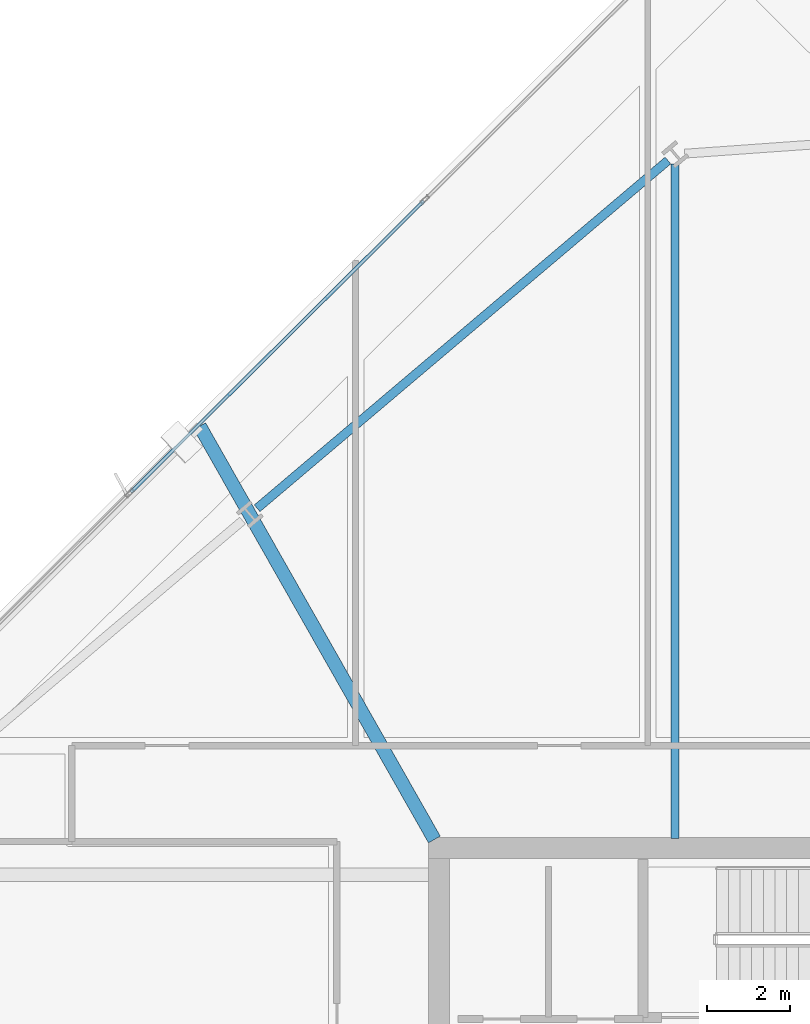
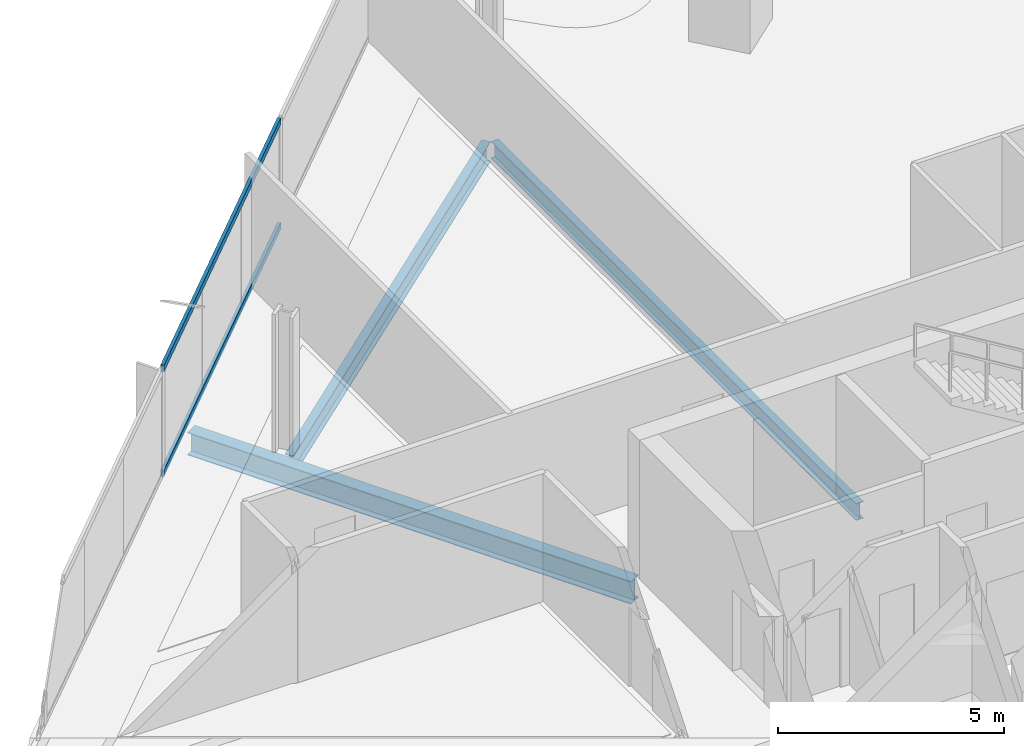
# One storey, part 16 of 32: 3 beams, 2 members, 1 element without a shape of its own.
"""IFC4 building model written with IfcOpenShell, lengths in metres."""

import ifcopenshell
import ifcopenshell.guid

model = None  # the IFC model being written
_history = None  # IfcOwnerHistory: only IFC2X3 demands one
_inside = {}  # id of a spatial element -> (the spatial element, [elements in it])
_under = {}  # id of a project, library or spatial element -> (it, [spatial elements below it])
_declared = {}  # id of a project -> (the project, [libraries it declares])
_typed = {}  # id of a type object -> (the type object, [elements of that type])
_made_of = {}  # id of a material, layer set ... -> (it, [elements and type objects made of it])


def new_model(schema):
    """Start an empty IFC model of exactly this schema.

    Asked for "IFC4X3", IfcOpenShell would pick the latest addendum, in which some entities
    have other attributes; the version numbers below select the first issue.
    IFC2X3 requires an IfcOwnerHistory on every rooted entity: one is made here for all.
    """
    global model, _history
    if schema == "IFC4X3":
        model = ifcopenshell.file(schema_version=(4, 3, 0, 0))
    else:
        model = ifcopenshell.file(schema=schema)
    _inside.clear()
    _under.clear()
    _declared.clear()
    _typed.clear()
    _made_of.clear()
    _history = None
    if model.schema == "IFC2X3":
        org = make("IfcOrganization", Name="unknown")
        user = make(
            "IfcPersonAndOrganization",
            ThePerson=make("IfcPerson", FamilyName="unknown"),
            TheOrganization=org,
        )
        app = make(
            "IfcApplication",
            ApplicationDeveloper=org,
            Version="unknown",
            ApplicationFullName="unknown",
            ApplicationIdentifier="unknown",
        )
        _history = make(
            "IfcOwnerHistory",
            OwningUser=user,
            OwningApplication=app,
            ChangeAction="ADDED",
            CreationDate=0,
        )
    return model


def make(cls, **values):
    """One entity of the class cls with the attributes given. An attribute that is None is left unset."""
    return model.create_entity(
        cls, **{name: value for name, value in values.items() if value is not None}
    )


def rooted(cls, **values):
    """An entity with a GlobalId (a new one), such as an element, a storey or a relation."""
    return make(cls, GlobalId=ifcopenshell.guid.new(), OwnerHistory=_history, **values)


def si_unit(unit_type, name, prefix=None):
    """IfcSIUnit, for example si_unit("LENGTHUNIT", "METRE", prefix="MILLI")."""
    return make("IfcSIUnit", UnitType=unit_type, Prefix=prefix, Name=name)


def assignment(units):
    """IfcUnitAssignment: the units of a project."""
    return None if units is None else make("IfcUnitAssignment", Units=units)


def point(xyz):
    """IfcCartesianPoint."""
    return None if xyz is None else make("IfcCartesianPoint", Coordinates=xyz)


def direction(xyz):
    """IfcDirection."""
    return None if xyz is None else make("IfcDirection", DirectionRatios=xyz)


def frame(location, z_axis=None, x_axis=None):
    """IfcAxis2Placement3D, a coordinate frame: its origin and axes. An axis left out is left unset."""
    return make(
        "IfcAxis2Placement3D",
        Location=point(location),
        Axis=direction(z_axis),
        RefDirection=direction(x_axis),
    )


def frame_2d(location, x_axis=None):
    """IfcAxis2Placement2D, a coordinate frame in the plane: its origin and x axis."""
    return make(
        "IfcAxis2Placement2D", Location=point(location), RefDirection=direction(x_axis)
    )


def origin():
    """The frame at (0, 0, 0) with its axes left unset."""
    return frame((0.0, 0.0, 0.0))


def origin_2d():
    """The frame at (0, 0) in the plane with its x axis left unset."""
    return frame_2d((0.0, 0.0))


def place(relative_to, where):
    """IfcLocalPlacement: puts the frame where relative to a parent placement (None: the world)."""
    return make(
        "IfcLocalPlacement", PlacementRelTo=relative_to, RelativePlacement=where
    )


def context(
    kind, dimensions, precision=None, world=None, true_north=None, identifier=None
):
    """IfcGeometricRepresentationContext, for example the 3D "Model" context."""
    return make(
        "IfcGeometricRepresentationContext",
        ContextIdentifier=identifier,
        ContextType=kind,
        CoordinateSpaceDimension=dimensions,
        Precision=precision,
        WorldCoordinateSystem=world,
        TrueNorth=true_north,
    )


def subcontext(parent, identifier, kind, view, scale=None):
    """IfcGeometricRepresentationSubContext, for example "Body" below "Model"."""
    return make(
        "IfcGeometricRepresentationSubContext",
        ContextIdentifier=identifier,
        ContextType=kind,
        ParentContext=parent,
        TargetScale=scale,
        TargetView=view,
    )


def project(units=None, contexts=None):
    """IfcProject with its units and contexts."""
    return rooted(
        "IfcProject",
        Name="project",
        RepresentationContexts=contexts,
        UnitsInContext=assignment(units),
    )


def spatial(cls, under=None, at=None, **own):
    """A site, building, storey or space (cls), placed at a placement, below another one or the project."""
    s = rooted(cls, ObjectPlacement=at, **own)
    if under is not None:
        _under.setdefault(under.id(), (under, []))[1].append(s)
    return s


def profile(cls, at=None, kind="AREA", **sizes):
    """A parametric profile (cls). Its sizes go by their IFC names, for example OverallWidth=200.0."""
    return make(cls, ProfileType=kind, Position=at, **sizes)


def hollow_rectangle(**sizes):
    """IfcRectangleHollowProfileDef."""
    return profile("IfcRectangleHollowProfileDef", **sizes)


def i_section(**sizes):
    """IfcIShapeProfileDef."""
    return profile("IfcIShapeProfileDef", **sizes)


def extrude(swept, where, along, depth):
    """IfcExtrudedAreaSolid: the profile swept, set in the frame where, extruded along a direction by depth."""
    return make(
        "IfcExtrudedAreaSolid",
        SweptArea=swept,
        Position=where,
        ExtrudedDirection=direction(along),
        Depth=depth,
    )


def shape(context_of_items, identifier, shape_type, items):
    """IfcShapeRepresentation: the items that make up one representation, for example the "Body"."""
    return make(
        "IfcShapeRepresentation",
        ContextOfItems=context_of_items,
        RepresentationIdentifier=identifier,
        RepresentationType=shape_type,
        Items=items,
    )


def material(Name=None, Category=None):
    """IfcMaterial."""
    return make("IfcMaterial", Name=Name, Category=Category)


def material_profile(
    of_material, cross_section, Name=None, Category=None, Priority=None
):
    """IfcMaterialProfile: a cross section and its material."""
    return make(
        "IfcMaterialProfile",
        Name=Name,
        Material=of_material,
        Profile=cross_section,
        Priority=Priority,
        Category=Category,
    )


def profile_set(profiles, Name=None, composite=None):
    """IfcMaterialProfileSet."""
    return make(
        "IfcMaterialProfileSet",
        Name=Name,
        MaterialProfiles=profiles,
        CompositeProfile=composite,
    )


def made_of(thing, what):
    """Note that an element or type object is made of a material, layer set ...; save() writes the relation."""
    if what is not None:
        _made_of.setdefault(what.id(), (what, []))[1].append(thing)
    return thing


def type_object(cls, material=None, **own):
    """A type object (cls), such as IfcWallType, which elements share."""
    return made_of(rooted(cls, **own), material)


def element(
    cls,
    number,
    at=None,
    inside=None,
    cuts=None,
    type_object=None,
    material=None,
    context=None,
    identifier="Body",
    shape_type=None,
    held_by="IfcProductDefinitionShape",
    body=None,
    shapes=None,
    **own,
):
    """One element of the class cls, such as IfcWall. Its Tag is "e" and its number.

    at: its placement. inside: the storey or other place that contains it. cuts: it is an
    opening in that element (IfcRelVoidsElement). A single representation is given by context,
    identifier, shape_type and body (its items); several are given by shapes. held_by: the class
    of the entity that holds the representations. save() writes the other relations.
    """
    e = rooted(cls, Tag="e%d" % number, ObjectPlacement=at, **own)
    if body is not None:
        shapes = [shape(context, identifier, shape_type, body)]
    if shapes is not None:
        e.Representation = make(held_by, Representations=shapes)
    if inside is not None:
        _inside.setdefault(inside.id(), (inside, []))[1].append(e)
    if cuts is not None:
        rooted(
            "IfcRelVoidsElement", RelatingBuildingElement=cuts, RelatedOpeningElement=e
        )
    if type_object is not None:
        _typed.setdefault(type_object.id(), (type_object, []))[1].append(e)
    return made_of(e, material)


def aggregate(whole, parts):
    """IfcRelAggregates: a whole, such as a stair, and the parts it consists of."""
    return rooted("IfcRelAggregates", RelatingObject=whole, RelatedObjects=parts)


def save(model, path):
    """Write the relations noted so far, then the file.

    IfcRelAggregates (storeys below a building ...), IfcRelContainedInSpatialStructure (elements
    in a storey), IfcRelDefinesByType, IfcRelAssociatesMaterial and IfcRelDeclares: one each for
    every whole, place, type object, material and project.
    """
    for whole, parts in _under.values():
        aggregate(whole, parts)
    for where, things in _inside.values():
        rooted(
            "IfcRelContainedInSpatialStructure",
            RelatedElements=things,
            RelatingStructure=where,
        )
    for kind, things in _typed.values():
        rooted("IfcRelDefinesByType", RelatedObjects=things, RelatingType=kind)
    for what, things in _made_of.values():
        rooted("IfcRelAssociatesMaterial", RelatedObjects=things, RelatingMaterial=what)
    for by, libraries in _declared.values():
        rooted("IfcRelDeclares", RelatingContext=by, RelatedDefinitions=libraries)
    model.write(path)


model = new_model("IFC4")

# Units and contexts
model_context = context("Model", 3, precision=1e-05, world=origin(), true_north=direction((0.0, 1.0)))
body_context = subcontext(model_context, "Body", "Model", "MODEL_VIEW")
ifc_project = project(units=[si_unit("LENGTHUNIT", "METRE"), si_unit("AREAUNIT", "SQUARE_METRE"), si_unit("VOLUMEUNIT", "CUBIC_METRE"), si_unit("PLANEANGLEUNIT", "RADIAN"), si_unit("MASSUNIT", "GRAM", prefix="KILO")], contexts=[model_context])

# Site, building, storey
site_placement = place(None, origin())
site = spatial("IfcSite", under=ifc_project, at=site_placement, CompositionType="ELEMENT")
building_placement = place(site_placement, origin())
building = spatial("IfcBuilding", under=site, at=building_placement, Name="Haldenkirk Collegiate Tower", CompositionType="ELEMENT")
storey_placement = place(building_placement, frame((0.0, 0.0, 178.199951171875)))
storey = spatial("IfcBuildingStorey", under=building, at=storey_placement, Name="L44", CompositionType="ELEMENT", Elevation=178.199951171875)

# Beams
ifc_material_1 = material(Name="Steel ASTM A992 Grade 50", Category="steel")
ifc_material_profile_1 = material_profile(ifc_material_1, i_section(OverallWidth=0.324951171875, OverallDepth=0.615966796875, WebThickness=0.013916015625, FlangeThickness=0.021484375, at=origin_2d()), Name="W24X117")
ifc_profile_set_1 = profile_set([ifc_material_profile_1], Name="Steel ASTM A992 Grade 50")
beam_type_1 = type_object("IfcBeamType", Name="BM-GIRDER-W24X117", PredefinedType="BEAM", material=ifc_profile_set_1)
beam_1_placement = place(storey_placement, frame((21.26220703125, 44.105712890625, -0.597900390625), z_axis=(0.49374352281, -0.869607574532, 0.0), x_axis=(0.869607574532, 0.49374352281, 0.0)))
element("IfcBeam", 1, at=beam_1_placement, inside=storey, type_object=beam_type_1, Name="L44 primary floor girder 12", PredefinedType="BEAM", context=body_context, shape_type="SweptSolid", body=[
    extrude(i_section(OverallWidth=0.324951171875, OverallDepth=0.615966796875, WebThickness=0.013916015625, FlangeThickness=0.021484375, at=origin_2d()), origin(), (0.0, 0.0, 1.0), 11.39111328125),
])
ifc_material_profile_2 = material_profile(ifc_material_1, i_section(OverallWidth=0.18994140625, OverallDepth=0.45703125, WebThickness=0.009033203125, FlangeThickness=0.014404296875, at=origin_2d()), Name="W18X50")
ifc_profile_set_2 = profile_set([ifc_material_profile_2], Name="Steel ASTM A992 Grade 50")
beam_type_2 = type_object("IfcBeamType", Name="BM-JOIST-W18X50", PredefinedType="JOIST", material=ifc_profile_set_2)
beam_2_placement = place(storey_placement, frame((32.657470703125, 50.390380859375, -0.5185546875), z_axis=(0.0, -1.0, 0.0), x_axis=(1.0, 0.0, 0.0)))
element("IfcBeam", 2, at=beam_2_placement, inside=storey, type_object=beam_type_2, Name="L44 composite floor joist 11", PredefinedType="JOIST", context=body_context, shape_type="SweptSolid", body=[
    extrude(i_section(OverallWidth=0.18994140625, OverallDepth=0.45703125, WebThickness=0.009033203125, FlangeThickness=0.014404296875, at=origin_2d()), origin(), (0.0, 0.0, 1.0), 16.160400390625),
])
ifc_material_profile_3 = material_profile(ifc_material_1, i_section(OverallWidth=0.2119140625, OverallDepth=0.5439453125, WebThickness=0.01318359375, FlangeThickness=0.021240234375, at=origin_2d()), Name="W21X83")
ifc_profile_set_3 = profile_set([ifc_material_profile_3], Name="Steel ASTM A992 Grade 50")
beam_type_3 = type_object("IfcBeamType", Name="BM-SPANDREL-W21X83", PredefinedType="SPANDREL", material=ifc_profile_set_3)
beam_3_placement = place(storey_placement, frame((32.482666015625, 50.471435546875, -0.56201171875), z_axis=(-0.763233335078, -0.646122957514, 0.0), x_axis=(0.646122957514, -0.763233335078, 0.0)))
element("IfcBeam", 3, at=beam_3_placement, inside=storey, type_object=beam_type_3, Name="L44 perimeter spandrel beam 10", PredefinedType="SPANDREL", context=body_context, shape_type="SweptSolid", body=[
    extrude(i_section(OverallWidth=0.2119140625, OverallDepth=0.5439453125, WebThickness=0.01318359375, FlangeThickness=0.021240234375, at=origin_2d()), origin(), (0.0, 0.0, 1.0), 12.898193359375),
])

# Curtain wall, members
ifc_material_2 = material(Name="Anodised architectural bronze aluminium", Category="aluminium")
curtain_wall_type = type_object("IfcCurtainWallType", Name="CW-SYS1-CONVEX-LOW", PredefinedType="USERDEFINED", material=ifc_material_2)
curtain_wall_placement = place(storey_placement, origin())
curtain_wall = element("IfcCurtainWall", 4, at=curtain_wall_placement, inside=storey, type_object=curtain_wall_type, Name="L44 Lower tower convex bronze-framed unitised curtain wall", ObjectType="UNITISED CURTAIN WALL", PredefinedType="USERDEFINED")
ifc_material_profile_4 = material_profile(ifc_material_2, hollow_rectangle(XDim=0.080078125, YDim=0.179931640625, WallThickness=0.0048828125, at=origin_2d()), Name="CW-TRN-1A")
ifc_profile_set_4 = profile_set([ifc_material_profile_4], Name="Anodised architectural bronze aluminium")
member_type = type_object("IfcMemberType", Name="CW-TRN-1A", PredefinedType="USERDEFINED", material=ifc_profile_set_4)
member_1_placement = place(storey_placement, frame((19.616943359375, 42.525634765625, 0.0400390625), z_axis=(0.708954837093, 0.705253882629, 0.0), x_axis=(-0.705253882629, 0.708954837093, 0.0)))
member_1 = element("IfcMember", 5, at=member_1_placement, type_object=member_type, Name="CW-1A transom 3.1", ObjectType="TRANSOM", PredefinedType="USERDEFINED", context=body_context, shape_type="SweptSolid", body=[
    extrude(hollow_rectangle(XDim=0.080078125, YDim=0.179931640625, WallThickness=0.0048828125, at=origin_2d()), origin(), (0.0, 0.0, 1.0), 9.89501953125),
])
member_2_placement = place(storey_placement, frame((19.616943359375, 42.525634765625, 2.87109375), z_axis=(0.708954837093, 0.705253882629, 0.0), x_axis=(-0.705253882629, 0.708954837093, 0.0)))
member_2 = element("IfcMember", 6, at=member_2_placement, type_object=member_type, Name="CW-1A transom 3.2", ObjectType="TRANSOM", PredefinedType="USERDEFINED", context=body_context, shape_type="SweptSolid", body=[
    extrude(hollow_rectangle(XDim=0.080078125, YDim=0.179931640625, WallThickness=0.0048828125, at=origin_2d()), origin(), (0.0, 0.0, 1.0), 9.89501953125),
])
aggregate(curtain_wall, [member_1, member_2])

save(model, "model.ifc")
